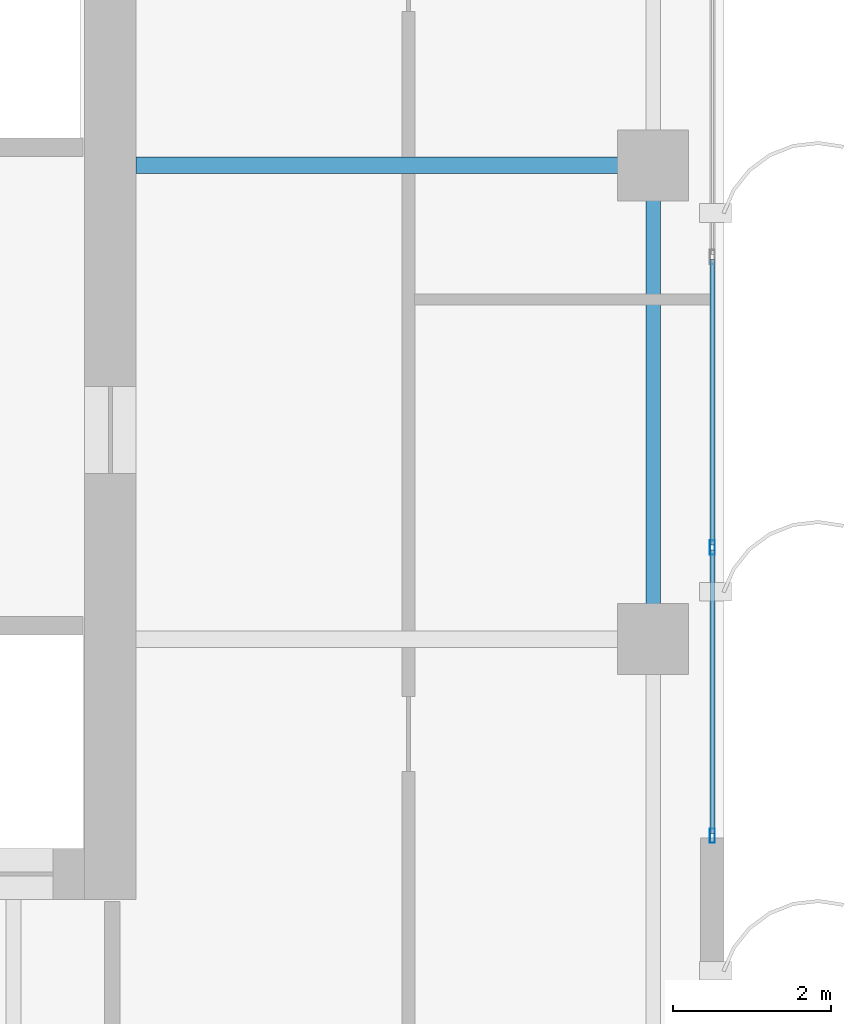
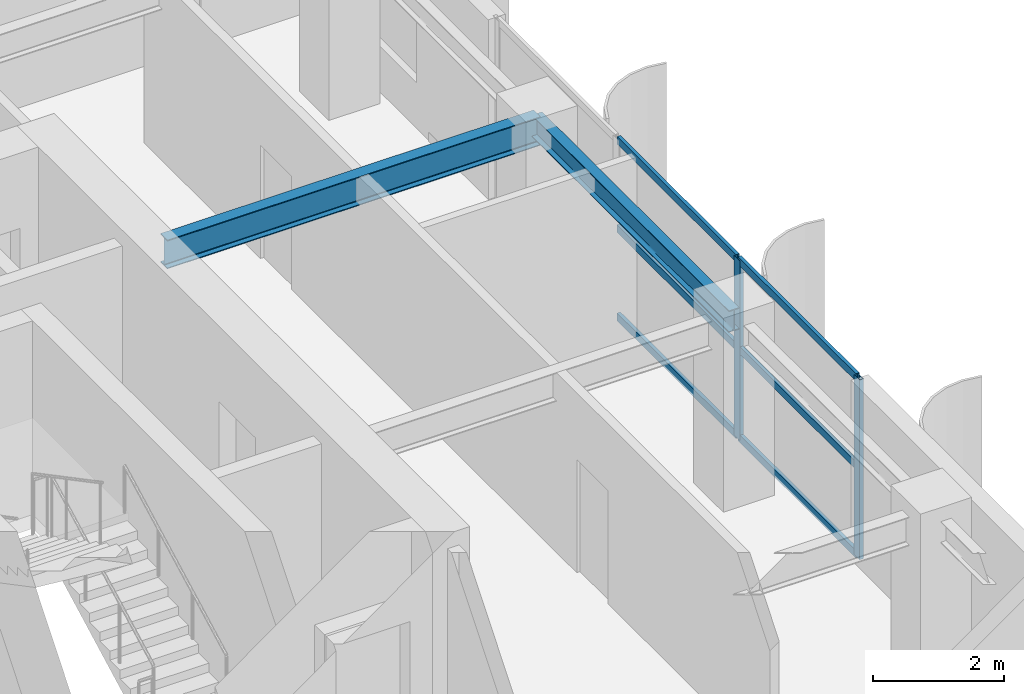
# One storey, part 9 of 21: 8 members, 2 beams, 1 element without a shape of its own.
"""IFC4 building model written with IfcOpenShell, lengths in metres."""

from ifc_helpers import new_model, si_unit, direction, frame, origin, origin_2d, place, context, subcontext, project, spatial, hollow_rectangle, i_section, extrude, source, transform, mapped, material, layer, layer_set, material_profile, profile_set, type_object, element, aggregate, save


model = new_model("IFC4")

# Units and contexts
model_context = context("Model", 3, precision=1e-05, world=origin(), true_north=direction((0.0, 1.0)))
body_context = subcontext(model_context, "Body", "Model", "MODEL_VIEW")
ifc_project = project(units=[si_unit("LENGTHUNIT", "METRE"), si_unit("AREAUNIT", "SQUARE_METRE"), si_unit("VOLUMEUNIT", "CUBIC_METRE"), si_unit("PLANEANGLEUNIT", "RADIAN"), si_unit("MASSUNIT", "GRAM", prefix="KILO")], contexts=[model_context])

# Site, building, storey
site_placement = place(None, origin())
site = spatial("IfcSite", under=ifc_project, at=site_placement, CompositionType="ELEMENT")
building_placement = place(site_placement, origin())
building = spatial("IfcBuilding", under=site, at=building_placement, Name="Khoralis Quay Care Tower", CompositionType="ELEMENT")
storey_placement = place(building_placement, frame((0.0, 0.0, 159.300048828125)))
storey = spatial("IfcBuildingStorey", under=building, at=storey_placement, Name="L41", CompositionType="ELEMENT", Elevation=159.300048828125)

# Beams
ifc_material_1 = material(Name="Steel S355", Category="steel")
ifc_material_profile_1 = material_profile(ifc_material_1, i_section(OverallWidth=0.179931640625, OverallDepth=0.39990234375, WebThickness=0.008544921875, FlangeThickness=0.013427734375, FilletRadius=0.02099609375, at=origin_2d()), Name="Steel S355")
ifc_profile_set_1 = profile_set([ifc_material_profile_1], Name="Steel S355")
beam_type_1 = type_object("IfcBeamType", Name="BM-IPE400", PredefinedType="SPANDREL", material=ifc_profile_set_1)
shared_shape_1 = source(origin(), body_context, "Body", "SweptSolid", [
    extrude(i_section(OverallWidth=0.179931640625, OverallDepth=0.39990234375, WebThickness=0.008544921875, FlangeThickness=0.013427734375, FilletRadius=0.02099609375, at=origin_2d()), origin(), (0.0, 0.0, 1.0), 6.0),
])
beam_1_placement = place(storey_placement, frame((44.10009765625, 18.0, 3.139892578125), z_axis=(0.0, 1.0, 0.0), x_axis=(-1.0, 0.0, 0.0)))
element("IfcBeam", 1, at=beam_1_placement, inside=storey, type_object=beam_type_1, Name="BM-TSP-L41-16", PredefinedType="SPANDREL", context=body_context, shape_type="MappedRepresentation", body=[
    mapped(shared_shape_1, transform((0.0, 0.0, 0.0), scale=1.0)),
])
ifc_material_profile_2 = material_profile(ifc_material_1, i_section(OverallWidth=0.208984375, OverallDepth=0.532958984375, WebThickness=0.01025390625, FlangeThickness=0.015625, FilletRadius=0.01611328125, at=origin_2d()), Name="Steel S355")
ifc_profile_set_2 = profile_set([ifc_material_profile_2], Name="Steel S355")
beam_type_2 = type_object("IfcBeamType", Name="BM-W530X92", PredefinedType="BEAM", material=ifc_profile_set_2)
shared_shape_2 = source(origin(), body_context, "Body", "SweptSolid", [
    extrude(i_section(OverallWidth=0.208984375, OverallDepth=0.532958984375, WebThickness=0.01025390625, FlangeThickness=0.015625, FilletRadius=0.01611328125, at=origin_2d()), origin(), (0.0, 0.0, 1.0), 6.552001953125),
])
beam_2_placement = place(storey_placement, frame((37.548095703125, 24.0, 3.073486328125), z_axis=(1.0, 0.0, 0.0), x_axis=(0.0, 1.0, 0.0)))
element("IfcBeam", 2, at=beam_2_placement, inside=storey, type_object=beam_type_2, Name="BM-TGXE-L41-240", PredefinedType="BEAM", context=body_context, shape_type="MappedRepresentation", body=[
    mapped(shared_shape_2, transform((0.0, 0.0, 0.0), scale=1.0)),
])

# Curtain wall, members
ifc_material_2 = material(Name="Pale anodised aluminium", Category="aluminium")
ifc_layer = layer(ifc_material_2, 0.159912109375)
ifc_layer_set = layer_set([ifc_layer], Name="Pale anodised aluminium")
curtain_wall_type = type_object("IfcCurtainWallType", Name="CW-SYS-Z3", PredefinedType="NOTDEFINED", material=ifc_layer_set)
curtain_wall_placement = place(storey_placement, origin())
curtain_wall = element("IfcCurtainWall", 3, at=curtain_wall_placement, inside=storey, type_object=curtain_wall_type, Name="L41 Unitised Curtain Wall CW-L41-P1-E5", PredefinedType="NOTDEFINED")
ifc_material_profile_3 = material_profile(ifc_material_2, hollow_rectangle(XDim=0.06494140625, YDim=0.179931640625, WallThickness=0.00390625, at=origin_2d()), Name="Pale anodised aluminium")
ifc_profile_set_3 = profile_set([ifc_material_profile_3], Name="Pale anodised aluminium")
member_type_1 = type_object("IfcMemberType", Name="CW-MUL-180", PredefinedType="MULLION", material=ifc_profile_set_3)
shared_shape_3 = source(origin(), body_context, "Body", "SweptSolid", [
    extrude(hollow_rectangle(XDim=0.06494140625, YDim=0.179931640625, WallThickness=0.00390625, at=origin_2d()), origin(), (0.0, 0.0, 1.0), 3.33984375),
])
member_1_placement = place(storey_placement, frame((44.85009765625, 15.510009765625, 0.0), z_axis=(0.0, 0.0, 1.0), x_axis=(-1.0, 0.0, 0.0)))
member_1 = element("IfcMember", 4, at=member_1_placement, type_object=member_type_1, Name="CW3 mullion 1", PredefinedType="MULLION", context=body_context, shape_type="MappedRepresentation", body=[
    mapped(shared_shape_3, transform((0.0, 0.0, 0.0), scale=1.0)),
])
member_2_placement = place(storey_placement, frame((44.85009765625, 19.159912109375, 0.0), z_axis=(0.0, 0.0, 1.0), x_axis=(-1.0, 0.0, 0.0)))
member_2 = element("IfcMember", 5, at=member_2_placement, type_object=member_type_1, Name="CW3 mullion 2", PredefinedType="MULLION", context=body_context, shape_type="MappedRepresentation", body=[
    mapped(shared_shape_3, transform((0.0, 0.0, 0.0), scale=1.0)),
])
ifc_material_profile_4 = material_profile(ifc_material_2, hollow_rectangle(XDim=0.06005859375, YDim=0.139892578125, WallThickness=0.00390625, at=origin_2d()), Name="Pale anodised aluminium")
ifc_profile_set_4 = profile_set([ifc_material_profile_4], Name="Pale anodised aluminium")
member_type_2 = type_object("IfcMemberType", Name="CW-TRN-140", PredefinedType="USERDEFINED", material=ifc_profile_set_4)
shared_shape_4 = source(origin(), body_context, "Body", "SweptSolid", [
    extrude(hollow_rectangle(XDim=0.06005859375, YDim=0.139892578125, WallThickness=0.00390625, at=origin_2d()), origin(), (0.0, 0.0, 1.0), 3.58984375),
])
member_3_placement = place(storey_placement, frame((44.85009765625, 15.5400390625, 0.030029296875), z_axis=(0.0, 1.0, 0.0), x_axis=(-1.0, 0.0, 0.0)))
member_3 = element("IfcMember", 6, at=member_3_placement, type_object=member_type_2, Name="CW3 transom 1.1", ObjectType="TRANSOM", PredefinedType="USERDEFINED", context=body_context, shape_type="MappedRepresentation", body=[
    mapped(shared_shape_4, transform((0.0, 0.0, 0.0), scale=1.0)),
])
member_4_placement = place(storey_placement, frame((44.85009765625, 15.5400390625, 1.669921875), z_axis=(0.0, 1.0, 0.0), x_axis=(-1.0, 0.0, 0.0)))
member_4 = element("IfcMember", 7, at=member_4_placement, type_object=member_type_2, Name="CW3 transom 1.2", ObjectType="TRANSOM", PredefinedType="USERDEFINED", context=body_context, shape_type="MappedRepresentation", body=[
    mapped(shared_shape_4, transform((0.0, 0.0, 0.0), scale=1.0)),
])
member_5_placement = place(storey_placement, frame((44.85009765625, 15.5400390625, 3.31005859375), z_axis=(0.0, 1.0, 0.0), x_axis=(-1.0, 0.0, 0.0)))
member_5 = element("IfcMember", 8, at=member_5_placement, type_object=member_type_2, Name="CW3 transom 1.3", ObjectType="TRANSOM", PredefinedType="USERDEFINED", context=body_context, shape_type="MappedRepresentation", body=[
    mapped(shared_shape_4, transform((0.0, 0.0, 0.0), scale=1.0)),
])
shared_shape_5 = source(origin(), body_context, "Body", "SweptSolid", [
    extrude(hollow_rectangle(XDim=0.06005859375, YDim=0.139892578125, WallThickness=0.00390625, at=origin_2d()), origin(), (0.0, 0.0, 1.0), 3.6201171875),
])
member_6_placement = place(storey_placement, frame((44.85009765625, 19.18994140625, 0.030029296875), z_axis=(0.0, 1.0, 0.0), x_axis=(-1.0, 0.0, 0.0)))
member_6 = element("IfcMember", 9, at=member_6_placement, type_object=member_type_2, Name="CW3 transom 2.1", ObjectType="TRANSOM", PredefinedType="USERDEFINED", context=body_context, shape_type="MappedRepresentation", body=[
    mapped(shared_shape_5, transform((0.0, 0.0, 0.0), scale=1.0)),
])
member_7_placement = place(storey_placement, frame((44.85009765625, 19.18994140625, 1.669921875), z_axis=(0.0, 1.0, 0.0), x_axis=(-1.0, 0.0, 0.0)))
member_7 = element("IfcMember", 10, at=member_7_placement, type_object=member_type_2, Name="CW3 transom 2.2", ObjectType="TRANSOM", PredefinedType="USERDEFINED", context=body_context, shape_type="MappedRepresentation", body=[
    mapped(shared_shape_5, transform((0.0, 0.0, 0.0), scale=1.0)),
])
member_8_placement = place(storey_placement, frame((44.85009765625, 19.18994140625, 3.31005859375), z_axis=(0.0, 1.0, 0.0), x_axis=(-1.0, 0.0, 0.0)))
member_8 = element("IfcMember", 11, at=member_8_placement, type_object=member_type_2, Name="CW3 transom 2.3", ObjectType="TRANSOM", PredefinedType="USERDEFINED", context=body_context, shape_type="MappedRepresentation", body=[
    mapped(shared_shape_5, transform((0.0, 0.0, 0.0), scale=1.0)),
])
aggregate(curtain_wall, [member_1, member_2, member_3, member_4, member_5, member_6, member_7, member_8])

save(model, "model.ifc")
